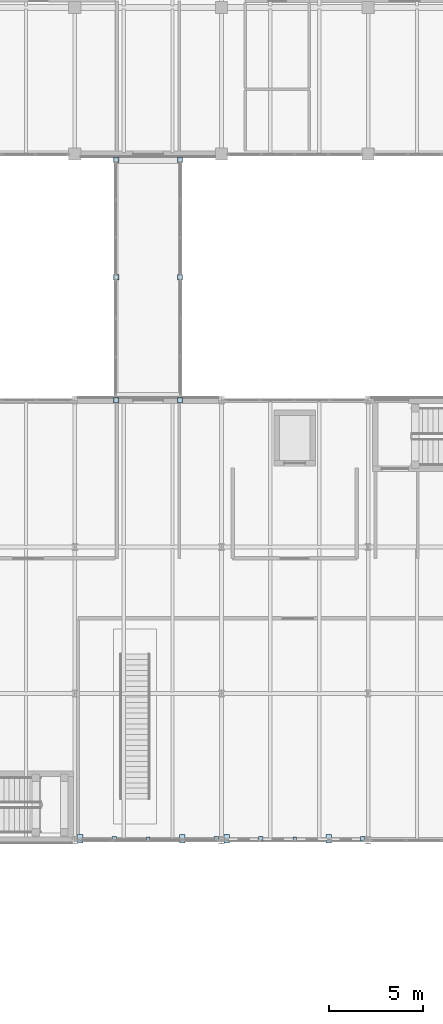
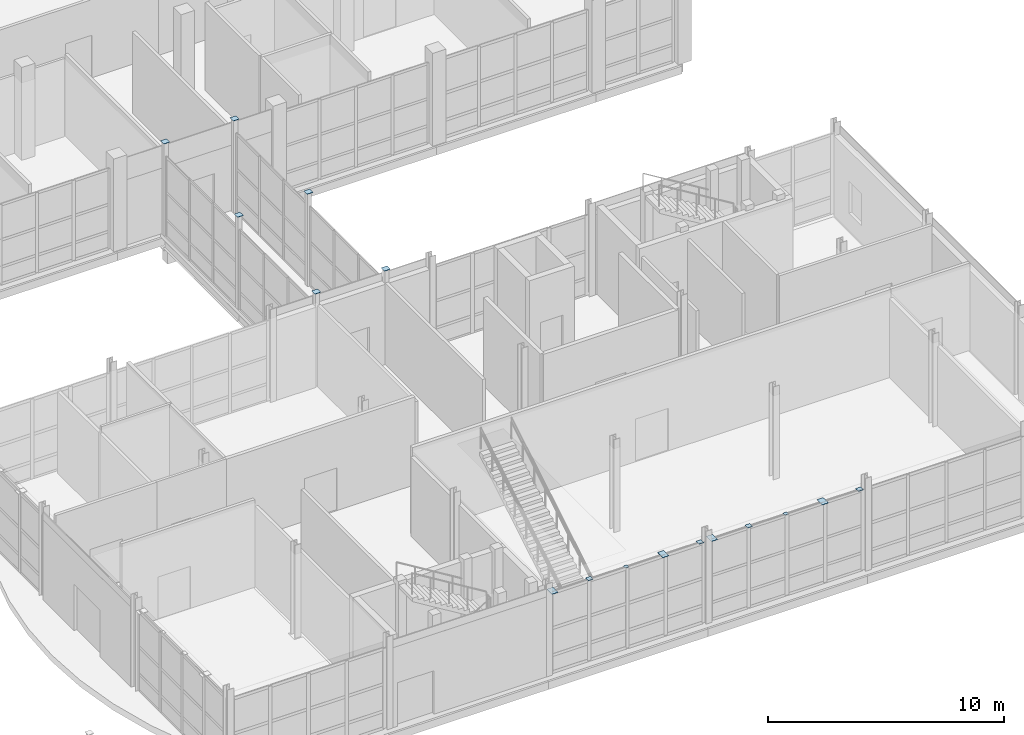
# One storey, part 90 of 131: 16 plates.
"""IFC4 building model written with IfcOpenShell, lengths in metres."""

from ifc_helpers import new_model, si_unit, direction, frame, origin, origin_2d, place, context, subcontext, project, spatial, rectangle, extrude, material, layer, layer_set, type_object, element, save


model = new_model("IFC4")

# Units and contexts
model_context = context("Model", 3, precision=1e-05, world=origin(), true_north=direction((0.0, 1.0)))
body_context = subcontext(model_context, "Body", "Model", "MODEL_VIEW")
ifc_project = project(units=[si_unit("LENGTHUNIT", "METRE"), si_unit("AREAUNIT", "SQUARE_METRE"), si_unit("VOLUMEUNIT", "CUBIC_METRE"), si_unit("PLANEANGLEUNIT", "RADIAN"), si_unit("MASSUNIT", "GRAM", prefix="KILO")], contexts=[model_context])

# Site, building, storey
site_placement = place(None, origin())
site = spatial("IfcSite", under=ifc_project, at=site_placement, CompositionType="ELEMENT")
building_placement = place(site_placement, origin())
building = spatial("IfcBuilding", under=site, at=building_placement, Name="Celorna Specialist Clinic", CompositionType="ELEMENT")
storey_placement = place(building_placement, origin())
storey = spatial("IfcBuildingStorey", under=building, at=storey_placement, Name="L00", CompositionType="ELEMENT", Elevation=0.0)

# Plates
ifc_material = material(Name="Steel S355", Category="steel")
ifc_layer_1 = layer(ifc_material, 0.013916015625, Name="Steel S355")
ifc_layer_set_1 = layer_set([ifc_layer_1], Name="Steel S355")
plate_type_1 = type_object("IfcPlateType", Name="EP-05", PredefinedType="SHEET", material=ifc_layer_set_1)
for number, where, z_axis, x_axis, name in (
    (1, (142.60009765625, 83.39990234375, 4.800048828125), (0.0, 0.0, 1.0), (1.0, 0.0, 0.0), "Hollow column cap plate COL-L00-CT-15-14260-8340"),
    (2, (146.0, 83.39990234375, 4.800048828125), (0.0, 0.0, 1.0), (1.0, 0.0, 0.0), "Hollow column cap plate COL-L00-CT-15-14600-8340"),
    (3, (142.60009765625, 89.949951171875, 4.800048828125), (0.0, 0.0, 1.0), (1.0, 0.0, 0.0), "Hollow column cap plate COL-L00-CT-15-14260-8995"),
    (4, (146.0, 89.949951171875, 4.800048828125), (0.0, 0.0, 1.0), (1.0, 0.0, 0.0), "Hollow column cap plate COL-L00-CT-15-14600-8995"),
    (5, (142.60009765625, 96.199951171875, 4.800048828125), (0.0, 0.0, 1.0), (1.0, 0.0, 0.0), "Hollow column cap plate COL-L00-CT-15-14260-9620"),
    (6, (146.0, 96.199951171875, 4.800048828125), (0.0, 0.0, 1.0), (1.0, 0.0, 0.0), "Hollow column cap plate COL-L00-CT-15-14600-9620"),
):
    element("IfcPlate", number, at=place(storey_placement, frame(where, z_axis=z_axis, x_axis=x_axis)), inside=storey, type_object=plate_type_1, Name=name, PredefinedType="SHEET", context=body_context, shape_type="SweptSolid", body=[
        extrude(rectangle(XDim=0.280029296875, YDim=0.280029296875, at=origin_2d()), origin(), (0.0, 0.0, 1.0), 0.01611328125),
    ])
ifc_layer_2 = layer(ifc_material, 0.011962890625, Name="Steel S355")
ifc_layer_set_2 = layer_set([ifc_layer_2], Name="Steel S355")
plate_type_2 = type_object("IfcPlateType", Name="EP-06", PredefinedType="SHEET", material=ifc_layer_set_2)
for number, where, z_axis, x_axis, name in (
    (7, (144.300048828125, 60.080078125, 4.14013671875), (0.0, 0.0, 1.0), (1.0, 0.0, 0.0), "Screen post cap plate EP-06 #1962"),
    (8, (152.10009765625, 60.080078125, 4.14013671875), (0.0, 0.0, 1.0), (1.0, 0.0, 0.0), "Screen post cap plate EP-06 #1983"),
):
    element("IfcPlate", number, at=place(storey_placement, frame(where, z_axis=z_axis, x_axis=x_axis)), inside=storey, type_object=plate_type_2, Name=name, PredefinedType="SHEET", context=body_context, shape_type="SweptSolid", body=[
        extrude(rectangle(XDim=0.179931640625, YDim=0.179931640625, at=origin_2d()), origin(), (0.0, 0.0, 1.0), 0.011962890625),
    ])
ifc_layer_3 = layer(ifc_material, 0.01611328125, Name="Steel S355")
ifc_layer_set_3 = layer_set([ifc_layer_3], Name="Steel S355")
plate_type_3 = type_object("IfcPlateType", Name="EP-07", PredefinedType="SHEET", material=ifc_layer_set_3)
for number, where, z_axis, x_axis, name in (
    (9, (140.68994140625, 60.080078125, 4.139892578125), (0.0, 0.0, 1.0), (1.0, 0.0, 0.0), "Screen post cap plate EP-07 #1960"),
    (10, (146.10498046875, 60.080078125, 4.139892578125), (0.0, 0.0, 1.0), (1.0, 0.0, 0.0), "Screen post cap plate EP-07 #1963"),
    (11, (148.489990234375, 60.080078125, 4.139892578125), (0.0, 0.0, 1.0), (1.0, 0.0, 0.0), "Screen post cap plate EP-07 #1981"),
    (12, (153.905029296875, 60.080078125, 4.139892578125), (0.0, 0.0, 1.0), (1.0, 0.0, 0.0), "Screen post cap plate EP-07 #1984"),
):
    element("IfcPlate", number, at=place(storey_placement, frame(where, z_axis=z_axis, x_axis=x_axis)), inside=storey, type_object=plate_type_3, Name=name, PredefinedType="SHEET", context=body_context, shape_type="SweptSolid", body=[
        extrude(rectangle(XDim=0.300048828125, YDim=0.43994140625, at=origin_2d()), origin(), (0.0, 0.0, 1.0), 0.01611328125),
    ])
ifc_layer_4 = layer(ifc_material, 0.013916015625, Name="Steel S355")
ifc_layer_set_4 = layer_set([ifc_layer_4], Name="Steel S355")
plate_type_4 = type_object("IfcPlateType", Name="EP-08", PredefinedType="SHEET", material=ifc_layer_set_4)
for number, where, z_axis, x_axis, name in (
    (13, (142.4951171875, 60.080078125, 4.14013671875), (0.0, 0.0, 1.0), (1.0, 0.0, 0.0), "Screen post cap plate EP-08 #1961"),
    (14, (147.909912109375, 60.080078125, 4.14013671875), (0.0, 0.0, 1.0), (1.0, 0.0, 0.0), "Screen post cap plate EP-08 #1964"),
    (15, (150.294921875, 60.080078125, 4.14013671875), (0.0, 0.0, 1.0), (1.0, 0.0, 0.0), "Screen post cap plate EP-08 #1982"),
    (16, (155.7099609375, 60.080078125, 4.14013671875), (0.0, 0.0, 1.0), (1.0, 0.0, 0.0), "Screen post cap plate EP-08 #1985"),
):
    element("IfcPlate", number, at=place(storey_placement, frame(where, z_axis=z_axis, x_axis=x_axis)), inside=storey, type_object=plate_type_4, Name=name, PredefinedType="SHEET", context=body_context, shape_type="SweptSolid", body=[
        extrude(rectangle(XDim=0.239990234375, YDim=0.239990234375, at=origin_2d()), origin(), (0.0, 0.0, 1.0), 0.013916015625),
    ])

save(model, "model.ifc")
